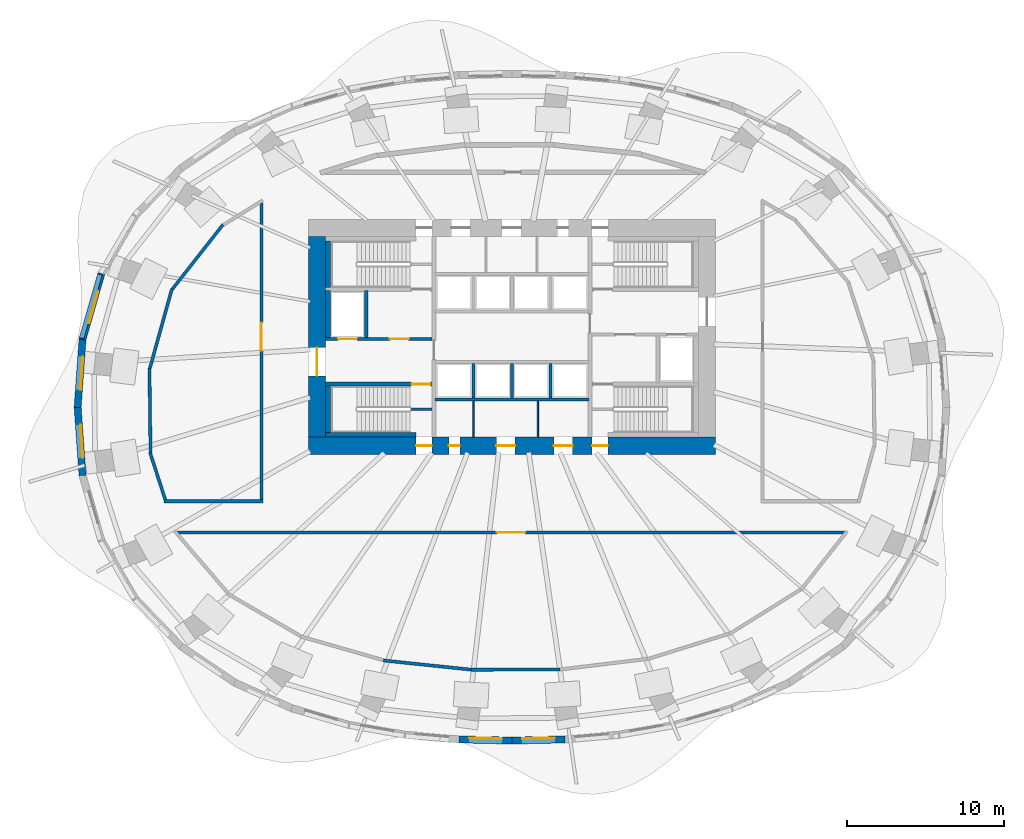
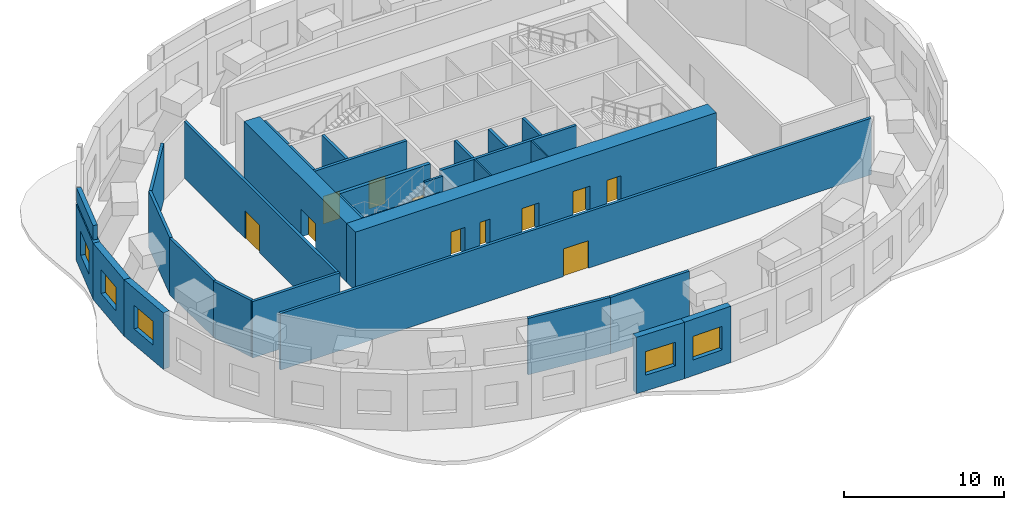
# One storey, part 4 of 9: 31 walls, 11 doors, 5 windows, 16 openings.
"""IFC4 building model written with IfcOpenShell, lengths in metres."""

from ifc_helpers import new_model, si_unit, direction, frame, frame_2d, origin, place, context, subcontext, project, spatial, rectangle, extrude, material, layer, layer_set, type_object, element, fill, save


model = new_model("IFC4")

# Units and contexts
model_context = context("Model", 3, precision=1e-05, world=origin(), true_north=direction((0.0, 1.0)))
body_context = subcontext(model_context, "Body", "Model", "MODEL_VIEW")
ifc_project = project(units=[si_unit("LENGTHUNIT", "METRE"), si_unit("AREAUNIT", "SQUARE_METRE"), si_unit("VOLUMEUNIT", "CUBIC_METRE"), si_unit("PLANEANGLEUNIT", "RADIAN"), si_unit("MASSUNIT", "GRAM", prefix="KILO")], contexts=[model_context])

# Site, building, storey
site_placement = place(None, origin())
site = spatial("IfcSite", under=ifc_project, at=site_placement, CompositionType="ELEMENT")
building_placement = place(site_placement, origin())
building = spatial("IfcBuilding", under=site, at=building_placement, Name="Rubra Terraces Tower", CompositionType="ELEMENT")
storey_placement = place(building_placement, frame((0.0, 0.0, 77.10009765625)))
storey = spatial("IfcBuildingStorey", under=building, at=storey_placement, Name="L17", CompositionType="ELEMENT", Elevation=77.10009765625)

# Wall, opening, window
ifc_material_1 = material(Name="Brick masonry red-brown", Category="masonry")
ifc_layer_1 = layer(ifc_material_1, 0.449951171875)
ifc_layer_set_1 = layer_set([ifc_layer_1], Name="Brick masonry red-brown")
wall_type_1 = type_object("IfcWallType", Name="Brick facade wall 450", PredefinedType="SOLIDWALL", material=ifc_layer_set_1)
wall_1_placement = place(storey_placement, frame((-26.208740234375, 8.523681640625, 0.0), z_axis=(0.0, 0.0, 1.0), x_axis=(-0.276281679347, -0.961076705397, 0.0)))
wall_1 = element("IfcWall", 1, at=wall_1_placement, inside=storey, type_object=wall_type_1, Name="Facade wall L17 bay 19", PredefinedType="SOLIDWALL", context=body_context, shape_type="SweptSolid", body=[
    extrude(rectangle(XDim=4.37939453125, YDim=0.449951171875, at=frame_2d((2.189697265625, 0.0))), origin(), (0.0, 0.0, 1.0), 4.2998046875),
])
opening_1_placement = place(wall_1_placement, frame((1.1396484375, 0.0, 1.199951171875)))
opening_1 = element("IfcOpeningElement", 2, at=opening_1_placement, cuts=wall_1, Name="Opening W4", PredefinedType="OPENING", context=body_context, shape_type="SweptSolid", body=[
    extrude(rectangle(XDim=2.10009765625, YDim=1.800048828125, at=frame_2d((1.050048828125, 0.89990234375))), frame((0.0, 0.23486328125, 0.0), z_axis=(0.0, -1.0, 0.0), x_axis=(1.0, 0.0, 0.0)), (0.0, 0.0, 1.0), 0.469970703125),
])
ifc_material_2 = material(Name="Clear glass in aluminium frame", Category="aluminium")
window_type = type_object("IfcWindowType", Name="Louvred plant window 2100 x 1800", PartitioningType="SINGLE_PANEL", PredefinedType="WINDOW", material=ifc_material_2)
window_1_placement = place(opening_1_placement, origin())
window_1 = element("IfcWindow", 3, at=window_1_placement, inside=storey, type_object=window_type, Name="Window L17 bay 19", OverallHeight=1.800048828125, OverallWidth=2.10009765625, PartitioningType="SINGLE_PANEL", PredefinedType="WINDOW", context=body_context, shape_type="SweptSolid", body=[
    extrude(rectangle(XDim=2.10009765625, YDim=1.800048828125, at=frame_2d((1.050048828125, 0.89990234375))), frame((0.0, 0.135009765625, 0.0), z_axis=(0.0, -1.0, 0.0), x_axis=(1.0, 0.0, 0.0)), (0.0, 0.0, 1.0), 0.06005859375),
])
fill(opening_1, window_1)

wall_2_placement = place(storey_placement, frame((-27.41064453125, 4.36083984375, 0.0), z_axis=(0.0, 0.0, 1.0), x_axis=(-0.071768934506, -0.997421285135, 0.0)))
wall_2 = element("IfcWall", 4, at=wall_2_placement, inside=storey, type_object=wall_type_1, Name="Facade wall L17 bay 20", PredefinedType="SOLIDWALL", context=body_context, shape_type="SweptSolid", body=[
    extrude(rectangle(XDim=4.38818359375, YDim=0.449951171875, at=frame_2d((2.194091796875, 0.0))), origin(), (0.0, 0.0, 1.0), 4.2998046875),
])
opening_2_placement = place(wall_2_placement, frame((1.144287109375, 0.0, 1.199951171875)))
opening_2 = element("IfcOpeningElement", 5, at=opening_2_placement, cuts=wall_2, Name="Opening W4", PredefinedType="OPENING", context=body_context, shape_type="SweptSolid", body=[
    extrude(rectangle(XDim=2.10009765625, YDim=1.800048828125, at=frame_2d((1.050048828125, 0.89990234375))), frame((0.0, 0.23486328125, 0.0), z_axis=(0.0, -1.0, 0.0), x_axis=(1.0, 0.0, 0.0)), (0.0, 0.0, 1.0), 0.469970703125),
])
window_2_placement = place(opening_2_placement, origin())
window_2 = element("IfcWindow", 6, at=window_2_placement, inside=storey, type_object=window_type, Name="Window L17 bay 20", OverallHeight=1.800048828125, OverallWidth=2.10009765625, PartitioningType="SINGLE_PANEL", PredefinedType="WINDOW", context=body_context, shape_type="SweptSolid", body=[
    extrude(rectangle(XDim=2.10009765625, YDim=1.800048828125, at=frame_2d((1.050048828125, 0.89990234375))), frame((0.0, 0.135009765625, 0.0), z_axis=(0.0, -1.0, 0.0), x_axis=(1.0, 0.0, 0.0)), (0.0, 0.0, 1.0), 0.06005859375),
])
fill(opening_2, window_2)

wall_3_placement = place(storey_placement, frame((-27.7255859375, 0.01611328125, 0.0), z_axis=(0.0, 0.0, 1.0), x_axis=(0.071768934506, -0.997421285135, 0.0)))
wall_3 = element("IfcWall", 7, at=wall_3_placement, inside=storey, type_object=wall_type_1, Name="Facade wall L17 bay 21", PredefinedType="SOLIDWALL", context=body_context, shape_type="SweptSolid", body=[
    extrude(rectangle(XDim=4.38818359375, YDim=0.449951171875, at=frame_2d((2.194091796875, 0.0))), origin(), (0.0, 0.0, 1.0), 4.2998046875),
])
opening_3_placement = place(wall_3_placement, frame((1.144287109375, 0.0, 1.199951171875)))
opening_3 = element("IfcOpeningElement", 8, at=opening_3_placement, cuts=wall_3, Name="Opening W4", PredefinedType="OPENING", context=body_context, shape_type="SweptSolid", body=[
    extrude(rectangle(XDim=2.10009765625, YDim=1.800048828125, at=frame_2d((1.050048828125, 0.89990234375))), frame((0.0, 0.23486328125, 0.0), z_axis=(0.0, -1.0, 0.0), x_axis=(1.0, 0.0, 0.0)), (0.0, 0.0, 1.0), 0.469970703125),
])
window_3_placement = place(opening_3_placement, origin())
window_3 = element("IfcWindow", 9, at=window_3_placement, inside=storey, type_object=window_type, Name="Window L17 bay 21", OverallHeight=1.800048828125, OverallWidth=2.10009765625, PartitioningType="SINGLE_PANEL", PredefinedType="WINDOW", context=body_context, shape_type="SweptSolid", body=[
    extrude(rectangle(XDim=2.10009765625, YDim=1.800048828125, at=frame_2d((1.050048828125, 0.89990234375))), frame((0.0, 0.135009765625, 0.0), z_axis=(0.0, -1.0, 0.0), x_axis=(1.0, 0.0, 0.0)), (0.0, 0.0, 1.0), 0.06005859375),
])
fill(opening_3, window_3)

wall_4_placement = place(storey_placement, frame((-3.38916015625, -21.201904296875, 0.0), z_axis=(0.0, 0.0, 1.0), x_axis=(0.999768789703, -0.021502723933, 0.0)))
wall_4 = element("IfcWall", 10, at=wall_4_placement, inside=storey, type_object=wall_type_1, Name="Facade wall L17 bay 30", PredefinedType="SOLIDWALL", context=body_context, shape_type="SweptSolid", body=[
    extrude(rectangle(XDim=3.394775390625, YDim=0.449951171875, at=frame_2d((1.697265625, 0.0))), origin(), (0.0, 0.0, 1.0), 4.2998046875),
])
opening_4_placement = place(wall_4_placement, frame((0.6474609375, 0.0, 1.199951171875)))
opening_4 = element("IfcOpeningElement", 11, at=opening_4_placement, cuts=wall_4, Name="Opening W4", PredefinedType="OPENING", context=body_context, shape_type="SweptSolid", body=[
    extrude(rectangle(XDim=2.10009765625, YDim=1.800048828125, at=frame_2d((1.050048828125, 0.89990234375))), frame((0.0, 0.23486328125, 0.0), z_axis=(0.0, -1.0, 0.0), x_axis=(1.0, 0.0, 0.0)), (0.0, 0.0, 1.0), 0.469970703125),
])
window_4_placement = place(opening_4_placement, origin())
window_4 = element("IfcWindow", 12, at=window_4_placement, inside=storey, type_object=window_type, Name="Window L17 bay 30", OverallHeight=1.800048828125, OverallWidth=2.10009765625, PartitioningType="SINGLE_PANEL", PredefinedType="WINDOW", context=body_context, shape_type="SweptSolid", body=[
    extrude(rectangle(XDim=2.10009765625, YDim=1.800048828125, at=frame_2d((1.050048828125, 0.89990234375))), frame((0.0, 0.135009765625, 0.0), z_axis=(0.0, -1.0, 0.0), x_axis=(1.0, 0.0, 0.0)), (0.0, 0.0, 1.0), 0.06005859375),
])
fill(opening_4, window_4)

wall_5_placement = place(storey_placement, frame((-0.0048828125, -21.27490234375, 0.0), z_axis=(0.0, 0.0, 1.0), x_axis=(0.999768789703, 0.021502723933, 0.0)))
wall_5 = element("IfcWall", 13, at=wall_5_placement, inside=storey, type_object=wall_type_1, Name="Facade wall L17 bay 31", PredefinedType="SOLIDWALL", context=body_context, shape_type="SweptSolid", body=[
    extrude(rectangle(XDim=3.394775390625, YDim=0.449951171875, at=frame_2d((1.697265625, 0.0))), origin(), (0.0, 0.0, 1.0), 4.2998046875),
])
opening_5_placement = place(wall_5_placement, frame((0.6474609375, 0.0, 1.199951171875)))
opening_5 = element("IfcOpeningElement", 14, at=opening_5_placement, cuts=wall_5, Name="Opening W4", PredefinedType="OPENING", context=body_context, shape_type="SweptSolid", body=[
    extrude(rectangle(XDim=2.10009765625, YDim=1.800048828125, at=frame_2d((1.050048828125, 0.89990234375))), frame((0.0, 0.23486328125, 0.0), z_axis=(0.0, -1.0, 0.0), x_axis=(1.0, 0.0, 0.0)), (0.0, 0.0, 1.0), 0.469970703125),
])
window_5_placement = place(opening_5_placement, origin())
window_5 = element("IfcWindow", 15, at=window_5_placement, inside=storey, type_object=window_type, Name="Window L17 bay 31", OverallHeight=1.800048828125, OverallWidth=2.10009765625, PartitioningType="SINGLE_PANEL", PredefinedType="WINDOW", context=body_context, shape_type="SweptSolid", body=[
    extrude(rectangle(XDim=2.10009765625, YDim=1.800048828125, at=frame_2d((1.050048828125, 0.89990234375))), frame((0.0, 0.135009765625, 0.0), z_axis=(0.0, -1.0, 0.0), x_axis=(1.0, 0.0, 0.0)), (0.0, 0.0, 1.0), 0.06005859375),
])
fill(opening_5, window_5)

# Wall
ifc_layer_2 = layer(ifc_material_1, 0.300048828125)
ifc_layer_set_2 = layer_set([ifc_layer_2], Name="Brick masonry red-brown")
wall_type_2 = type_object("IfcWallType", Name="Brick parapet 300", PredefinedType="PARAPET", material=ifc_layer_set_2)
wall_6_placement = place(storey_placement, frame((-26.29931640625, 8.47998046875, 4.5), z_axis=(0.0, 0.0, 1.0), x_axis=(-0.276312084061, -0.961067964403, 0.0)))
element("IfcWall", 16, at=wall_6_placement, inside=storey, type_object=wall_type_2, Name="Parapet L17 bay 19", PredefinedType="PARAPET", context=body_context, shape_type="SweptSolid", body=[
    extrude(rectangle(XDim=4.23486328125, YDim=0.300048828125, at=frame_2d((2.117431640625, 0.0))), origin(), (0.0, 0.0, 1.0), 1.099853515625),
])

# Wall, openings, doors
ifc_material_3 = material(Name="Concrete C60", Category="concrete")
ifc_layer_3 = layer(ifc_material_3, 1.10009765625)
ifc_layer_set_3 = layer_set([ifc_layer_3], Name="Concrete C60")
wall_type_3 = type_object("IfcWallType", Name="CORE WALL 1100 C60", PredefinedType="SHEAR", material=ifc_layer_set_3)
wall_7_placement = place(storey_placement, frame((-13.0, -2.449951171875, 0.0), z_axis=(0.0, 0.0, 1.0), x_axis=(1.0, 0.0, 0.0)))
wall_7 = element("IfcWall", 17, at=wall_7_placement, inside=storey, type_object=wall_type_3, Name="CORE WALL S L17", PredefinedType="SHEAR", context=body_context, shape_type="SweptSolid", body=[
    extrude(rectangle(XDim=26.0, YDim=1.10009765625, at=frame_2d((13.0, 0.0))), origin(), (0.0, 0.0, 1.0), 4.5),
])
opening_6_placement = place(wall_7_placement, frame((8.97509765625, 0.0, 0.0)))
opening_6 = element("IfcOpeningElement", 18, at=opening_6_placement, cuts=wall_7, Name="Opening L17.C13", PredefinedType="OPENING", context=body_context, shape_type="SweptSolid", body=[
    extrude(rectangle(XDim=0.699951171875, YDim=2.10009765625, at=frame_2d((0.35009765625, 1.050048828125))), frame((0.0, 0.56005859375, 0.0), z_axis=(0.0, -1.0, 0.0), x_axis=(1.0, 0.0, 0.0)), (0.0, 0.0, 1.0), 1.1201171875),
])
opening_7_placement = place(wall_7_placement, frame((12.0, 0.0, 0.0)))
opening_7 = element("IfcOpeningElement", 19, at=opening_7_placement, cuts=wall_7, Name="Opening L17.C14", PredefinedType="OPENING", context=body_context, shape_type="SweptSolid", body=[
    extrude(rectangle(XDim=1.199951171875, YDim=2.10009765625, at=frame_2d((0.60009765625, 1.050048828125))), frame((0.0, 0.56005859375, 0.0), z_axis=(0.0, -1.0, 0.0), x_axis=(1.0, 0.0, 0.0)), (0.0, 0.0, 1.0), 1.1201171875),
])
opening_8_placement = place(wall_7_placement, frame((15.675048828125, 0.0, 0.0)))
opening_8 = element("IfcOpeningElement", 20, at=opening_8_placement, cuts=wall_7, Name="Opening L17.C15", PredefinedType="OPENING", context=body_context, shape_type="SweptSolid", body=[
    extrude(rectangle(XDim=1.199951171875, YDim=2.10009765625, at=frame_2d((0.60009765625, 1.050048828125))), frame((0.0, 0.56005859375, 0.0), z_axis=(0.0, -1.0, 0.0), x_axis=(1.0, 0.0, 0.0)), (0.0, 0.0, 1.0), 1.1201171875),
])
opening_9_placement = place(wall_7_placement, frame((6.8798828125, 0.0, 0.0)))
opening_9 = element("IfcOpeningElement", 21, at=opening_9_placement, cuts=wall_7, Name="Opening L17.C19", PredefinedType="OPENING", context=body_context, shape_type="SweptSolid", body=[
    extrude(rectangle(XDim=1.0, YDim=2.10009765625, at=frame_2d((0.5, 1.050048828125))), frame((0.0, 0.56005859375, 0.0), z_axis=(0.0, -1.0, 0.0), x_axis=(1.0, 0.0, 0.0)), (0.0, 0.0, 1.0), 1.1201171875),
])
opening_10_placement = place(wall_7_placement, frame((18.1201171875, 0.0, 0.0)))
opening_10 = element("IfcOpeningElement", 22, at=opening_10_placement, cuts=wall_7, Name="Opening L17.C22", PredefinedType="OPENING", context=body_context, shape_type="SweptSolid", body=[
    extrude(rectangle(XDim=1.0, YDim=2.10009765625, at=frame_2d((0.5, 1.050048828125))), frame((0.0, 0.56005859375, 0.0), z_axis=(0.0, -1.0, 0.0), x_axis=(1.0, 0.0, 0.0)), (0.0, 0.0, 1.0), 1.1201171875),
])
ifc_material_4 = material(Name="Painted steel", Category="steel")
door_type_1 = type_object("IfcDoorType", Name="Fire door 1000x2100 single", OperationType="NOTDEFINED", PredefinedType="DOOR", material=ifc_material_4)
door_1_placement = place(opening_9_placement, origin())
door_1 = element("IfcDoor", 23, at=door_1_placement, inside=storey, type_object=door_type_1, Name="Stair S1 refuge door", OperationType="SINGLE_SWING_LEFT", OverallHeight=2.10009765625, OverallWidth=1.0, PredefinedType="DOOR", context=body_context, shape_type="SweptSolid", body=[
    extrude(rectangle(XDim=1.0, YDim=2.10009765625, at=frame_2d((0.5, 1.050048828125))), frame((0.0, 0.02490234375, 0.0), z_axis=(0.0, -1.0, 0.0), x_axis=(1.0, 0.0, 0.0)), (0.0, 0.0, 1.0), 0.050048828125),
])
fill(opening_9, door_1)
door_2_placement = place(opening_10_placement, origin())
door_2 = element("IfcDoor", 24, at=door_2_placement, inside=storey, type_object=door_type_1, Name="Stair S4 refuge door", OperationType="SINGLE_SWING_RIGHT", OverallHeight=2.10009765625, OverallWidth=1.0, PredefinedType="DOOR", context=body_context, shape_type="SweptSolid", body=[
    extrude(rectangle(XDim=1.0, YDim=2.10009765625, at=frame_2d((0.5, 1.050048828125))), frame((0.0, 0.02490234375, 0.0), z_axis=(0.0, -1.0, 0.0), x_axis=(1.0, 0.0, 0.0)), (0.0, 0.0, 1.0), 0.050048828125),
])
fill(opening_10, door_2)
door_type_2 = type_object("IfcDoorType", Name="Fire door 1200x2100 single", OperationType="NOTDEFINED", PredefinedType="DOOR", material=ifc_material_4)
door_3_placement = place(opening_7_placement, origin())
door_3 = element("IfcDoor", 25, at=door_3_placement, inside=storey, type_object=door_type_2, Name="Air handling plant room door", OperationType="SINGLE_SWING_RIGHT", OverallHeight=2.10009765625, OverallWidth=1.199951171875, PredefinedType="DOOR", context=body_context, shape_type="SweptSolid", body=[
    extrude(rectangle(XDim=1.199951171875, YDim=2.10009765625, at=frame_2d((0.60009765625, 1.050048828125))), frame((0.0, 0.02490234375, 0.0), z_axis=(0.0, -1.0, 0.0), x_axis=(1.0, 0.0, 0.0)), (0.0, 0.0, 1.0), 0.050048828125),
])
fill(opening_7, door_3)
door_4_placement = place(opening_8_placement, origin())
door_4 = element("IfcDoor", 26, at=door_4_placement, inside=storey, type_object=door_type_2, Name="Standby generator room door", OperationType="SINGLE_SWING_LEFT", OverallHeight=2.10009765625, OverallWidth=1.199951171875, PredefinedType="DOOR", context=body_context, shape_type="SweptSolid", body=[
    extrude(rectangle(XDim=1.199951171875, YDim=2.10009765625, at=frame_2d((0.60009765625, 1.050048828125))), frame((0.0, 0.02490234375, 0.0), z_axis=(0.0, -1.0, 0.0), x_axis=(1.0, 0.0, 0.0)), (0.0, 0.0, 1.0), 0.050048828125),
])
fill(opening_8, door_4)
door_type_3 = type_object("IfcDoorType", Name="Riser access door 700x2100 single", OperationType="NOTDEFINED", PredefinedType="DOOR", material=ifc_material_4)
door_5_placement = place(opening_6_placement, origin())
door_5 = element("IfcDoor", 27, at=door_5_placement, inside=storey, type_object=door_type_3, Name="M&E riser room door", OperationType="SINGLE_SWING_LEFT", OverallHeight=2.10009765625, OverallWidth=0.699951171875, PredefinedType="DOOR", context=body_context, shape_type="SweptSolid", body=[
    extrude(rectangle(XDim=0.699951171875, YDim=2.10009765625, at=frame_2d((0.35009765625, 1.050048828125))), frame((0.0, 0.02490234375, 0.0), z_axis=(0.0, -1.0, 0.0), x_axis=(1.0, 0.0, 0.0)), (0.0, 0.0, 1.0), 0.050048828125),
])
fill(opening_6, door_5)

# Wall, opening, door
wall_8_placement = place(storey_placement, frame((-12.449951171875, -1.89990234375, 0.0), z_axis=(0.0, 0.0, 1.0), x_axis=(0.0, 1.0, 0.0)))
wall_8 = element("IfcWall", 28, at=wall_8_placement, inside=storey, type_object=wall_type_3, Name="CORE WALL W L17", PredefinedType="SHEAR", context=body_context, shape_type="SweptSolid", body=[
    extrude(rectangle(XDim=12.7998046875, YDim=1.10009765625, at=frame_2d((6.39990234375, 0.0))), origin(), (0.0, 0.0, 1.0), 4.5),
])
opening_11_placement = place(wall_8_placement, frame((3.89990234375, 0.0, 0.0)))
opening_11 = element("IfcOpeningElement", 29, at=opening_11_placement, cuts=wall_8, Name="Opening L17.C01", PredefinedType="OPENING", context=body_context, shape_type="SweptSolid", body=[
    extrude(rectangle(XDim=1.800048828125, YDim=2.10009765625, at=frame_2d((0.89990234375, 1.050048828125))), frame((0.0, 0.56005859375, 0.0), z_axis=(0.0, -1.0, 0.0), x_axis=(1.0, 0.0, 0.0)), (0.0, 0.0, 1.0), 1.1201171875),
])
door_type_4 = type_object("IfcDoorType", Name="Fire door 1800x2100 double", OperationType="NOTDEFINED", PredefinedType="DOOR", material=ifc_material_4)
door_6_placement = place(opening_11_placement, origin())
door_6 = element("IfcDoor", 30, at=door_6_placement, inside=storey, type_object=door_type_4, Name="Core entrance door FF1", OperationType="DOUBLE_DOOR_SINGLE_SWING", OverallHeight=2.10009765625, OverallWidth=1.800048828125, PredefinedType="DOOR", context=body_context, shape_type="SweptSolid", body=[
    extrude(rectangle(XDim=1.800048828125, YDim=2.10009765625, at=frame_2d((0.89990234375, 1.050048828125))), frame((0.0, 0.02490234375, 0.0), z_axis=(0.0, -1.0, 0.0), x_axis=(1.0, 0.0, 0.0)), (0.0, 0.0, 1.0), 0.050048828125),
])
fill(opening_11, door_6)

# Walls
ifc_material_5 = material(Name="Concrete C40", Category="concrete")
ifc_layer_4 = layer(ifc_material_5, 0.300048828125)
ifc_layer_set_4 = layer_set([ifc_layer_4], Name="Concrete C40")
wall_type_4 = type_object("IfcWallType", Name="Core lining wall 300 concrete", PredefinedType="SOLIDWALL", material=ifc_layer_set_4)
wall_9_placement = place(storey_placement, frame((-11.89990234375, -1.75, 0.0), z_axis=(0.0, 0.0, 1.0), x_axis=(1.0, 0.0, 0.0)))
element("IfcWall", 31, at=wall_9_placement, inside=storey, type_object=wall_type_4, Name="CORE LINING WALL L17", PredefinedType="SOLIDWALL", context=body_context, shape_type="SweptSolid", body=[
    extrude(rectangle(XDim=5.77978515625, YDim=0.300048828125, at=frame_2d((2.889892578125, 0.0))), origin(), (0.0, 0.0, 1.0), 4.2998046875),
])
wall_10_placement = place(storey_placement, frame((-11.75, -1.60009765625, 0.0), z_axis=(0.0, 0.0, 1.0), x_axis=(0.0, 1.0, 0.0)))
element("IfcWall", 32, at=wall_10_placement, inside=storey, type_object=wall_type_4, Name="CORE LINING WALL L17", PredefinedType="SOLIDWALL", context=body_context, shape_type="SweptSolid", body=[
    extrude(rectangle(XDim=2.9501953125, YDim=0.300048828125, at=frame_2d((1.47509765625, 0.0))), origin(), (0.0, 0.0, 1.0), 4.2998046875),
])
wall_11_placement = place(storey_placement, frame((-11.75, 4.449951171875, 0.0), z_axis=(0.0, 0.0, 1.0), x_axis=(0.0, 1.0, 0.0)))
element("IfcWall", 33, at=wall_11_placement, inside=storey, type_object=wall_type_4, Name="CORE LINING WALL L17", PredefinedType="SOLIDWALL", context=body_context, shape_type="SweptSolid", body=[
    extrude(rectangle(XDim=3.0, YDim=0.300048828125, at=frame_2d((1.5, 0.0))), origin(), (0.0, 0.0, 1.0), 4.2998046875),
])
wall_12_placement = place(storey_placement, frame((-11.75, 7.64990234375, 0.0), z_axis=(0.0, 0.0, 1.0), x_axis=(0.0, 1.0, 0.0)))
element("IfcWall", 34, at=wall_12_placement, inside=storey, type_object=wall_type_4, Name="CORE LINING WALL L17", PredefinedType="SOLIDWALL", context=body_context, shape_type="SweptSolid", body=[
    extrude(rectangle(XDim=2.9501953125, YDim=0.300048828125, at=frame_2d((1.47509765625, 0.0))), origin(), (0.0, 0.0, 1.0), 4.2998046875),
])

# Wall, openings, doors
ifc_material_6 = material(Name="Concrete C30", Category="concrete")
ifc_layer_5 = layer(ifc_material_6, 0.199951171875)
ifc_layer_set_5 = layer_set([ifc_layer_5], Name="Concrete C30")
wall_type_5 = type_object("IfcWallType", Name="Core wall 200 concrete", PredefinedType="SOLIDWALL", material=ifc_layer_set_5)
wall_13_placement = place(storey_placement, frame((-11.89990234375, 4.35009765625, 0.0), z_axis=(0.0, 0.0, 1.0), x_axis=(1.0, 0.0, 0.0)))
wall_13 = element("IfcWall", 35, at=wall_13_placement, inside=storey, type_object=wall_type_5, Name="STAIR WALL L17", PredefinedType="SOLIDWALL", context=body_context, shape_type="SweptSolid", body=[
    extrude(rectangle(XDim=6.7998046875, YDim=0.199951171875, at=frame_2d((3.39990234375, 0.0))), origin(), (0.0, 0.0, 1.0), 4.2998046875),
])
opening_12_placement = place(wall_13_placement, frame((4.10009765625, 0.0, 0.0)))
opening_12 = element("IfcOpeningElement", 36, at=opening_12_placement, cuts=wall_13, Name="Opening L17.C05", PredefinedType="OPENING", context=body_context, shape_type="SweptSolid", body=[
    extrude(rectangle(XDim=1.199951171875, YDim=2.10009765625, at=frame_2d((0.60009765625, 1.050048828125))), frame((0.0, 0.10986328125, 0.0), z_axis=(0.0, -1.0, 0.0), x_axis=(1.0, 0.0, 0.0)), (0.0, 0.0, 1.0), 0.219970703125),
])
opening_13_placement = place(wall_13_placement, frame((0.800048828125, 0.0, 0.0)))
opening_13 = element("IfcOpeningElement", 37, at=opening_13_placement, cuts=wall_13, Name="Opening L17.C11", PredefinedType="OPENING", context=body_context, shape_type="SweptSolid", body=[
    extrude(rectangle(XDim=1.199951171875, YDim=2.10009765625, at=frame_2d((0.60009765625, 1.050048828125))), frame((0.0, 0.10986328125, 0.0), z_axis=(0.0, -1.0, 0.0), x_axis=(1.0, 0.0, 0.0)), (0.0, 0.0, 1.0), 0.219970703125),
])
door_7_placement = place(opening_12_placement, origin())
door_7 = element("IfcDoor", 38, at=door_7_placement, inside=storey, type_object=door_type_2, Name="Stair vestibule door S2", OperationType="SINGLE_SWING_LEFT", OverallHeight=2.10009765625, OverallWidth=1.199951171875, PredefinedType="DOOR", context=body_context, shape_type="SweptSolid", body=[
    extrude(rectangle(XDim=1.199951171875, YDim=2.10009765625, at=frame_2d((0.60009765625, 1.050048828125))), frame((0.0, 0.02490234375, 0.0), z_axis=(0.0, -1.0, 0.0), x_axis=(1.0, 0.0, 0.0)), (0.0, 0.0, 1.0), 0.050048828125),
])
fill(opening_12, door_7)
ifc_material_7 = material(Name="Stainless steel", Category="steel")
door_type_5 = type_object("IfcDoorType", Name="Lift landing door 1200x2100", OperationType="NOTDEFINED", PredefinedType="DOOR", material=ifc_material_7)
door_8_placement = place(opening_13_placement, origin())
door_8 = element("IfcDoor", 39, at=door_8_placement, inside=storey, type_object=door_type_5, Name="Landing door FF1", OperationType="SLIDING_TO_RIGHT", OverallHeight=2.10009765625, OverallWidth=1.199951171875, PredefinedType="DOOR", context=body_context, shape_type="SweptSolid", body=[
    extrude(rectangle(XDim=1.199951171875, YDim=2.10009765625, at=frame_2d((0.60009765625, 1.050048828125))), frame((0.0, 0.02490234375, 0.0), z_axis=(0.0, -1.0, 0.0), x_axis=(1.0, 0.0, 0.0)), (0.0, 0.0, 1.0), 0.050048828125),
])
fill(opening_13, door_8)

# Walls
wall_14_placement = place(storey_placement, frame((-9.300048828125, 4.449951171875, 0.0), z_axis=(0.0, 0.0, 1.0), x_axis=(0.0, 1.0, 0.0)))
element("IfcWall", 40, at=wall_14_placement, inside=storey, type_object=wall_type_5, Name="STAIR WALL L17", PredefinedType="SOLIDWALL", context=body_context, shape_type="SweptSolid", body=[
    extrude(rectangle(XDim=3.0, YDim=0.199951171875, at=frame_2d((1.5, 0.0))), origin(), (0.0, 0.0, 1.0), 4.2998046875),
])
wall_15_placement = place(storey_placement, frame((-4.89990234375, 0.5, 0.0), z_axis=(0.0, 0.0, 1.0), x_axis=(1.0, 0.0, 0.0)))
element("IfcWall", 41, at=wall_15_placement, inside=storey, type_object=wall_type_5, Name="LIFT SHAFT WALL L17", PredefinedType="SOLIDWALL", context=body_context, shape_type="SweptSolid", body=[
    extrude(rectangle(XDim=9.7998046875, YDim=0.199951171875, at=frame_2d((4.89990234375, 0.0))), origin(), (0.0, 0.0, 1.0), 4.2998046875),
])
for number, where, z_axis, x_axis, name in (
    (42, (-2.449951171875, 0.60009765625, 0.0), (0.0, 0.0, 1.0), (0.0, 1.0, 0.0), "LIFT SHAFT WALL L17"),
    (43, (0.0, 0.60009765625, 0.0), (0.0, 0.0, 1.0), (0.0, 1.0, 0.0), "LIFT SHAFT WALL L17"),
    (44, (2.449951171875, 0.60009765625, 0.0), (0.0, 0.0, 1.0), (0.0, 1.0, 0.0), "LIFT SHAFT WALL L17"),
):
    element("IfcWall", number, at=place(storey_placement, frame(where, z_axis=z_axis, x_axis=x_axis)), inside=storey, type_object=wall_type_5, Name=name, PredefinedType="SOLIDWALL", context=body_context, shape_type="SweptSolid", body=[
        extrude(rectangle(XDim=2.199951171875, YDim=0.199951171875, at=frame_2d((1.10009765625, 0.0))), origin(), (0.0, 0.0, 1.0), 4.2998046875),
    ])
ifc_material_8 = material(Name="Blockwork", Category="masonry")
ifc_layer_6 = layer(ifc_material_8, 0.199951171875)
ifc_layer_set_6 = layer_set([ifc_layer_6], Name="Blockwork")
wall_type_6 = type_object("IfcWallType", Name="Corridor partition 200 blockwork", PredefinedType="PARTITIONING", material=ifc_layer_set_6)
wall_16_placement = place(storey_placement, frame((3.052978515625, -16.72998046875, 0.0), z_axis=(0.0, 0.0, 1.0), x_axis=(-0.999987762334, -0.004947239951, 0.0)))
element("IfcWall", 45, at=wall_16_placement, inside=storey, type_object=wall_type_6, Name="Partition wall", PredefinedType="PARTITIONING", context=body_context, shape_type="SweptSolid", body=[
    extrude(rectangle(XDim=5.675048828125, YDim=0.199951171875, at=frame_2d((2.83740234375, 0.0))), origin(), (0.0, 0.0, 1.0), 4.2998046875),
])
wall_17_placement = place(storey_placement, frame((-2.62109375, -16.748046875, 0.0), z_axis=(0.0, 0.0, 1.0), x_axis=(-0.99455907377, 0.104174127222, 0.0)))
element("IfcWall", 46, at=wall_17_placement, inside=storey, type_object=wall_type_6, Name="Partition wall", PredefinedType="PARTITIONING", context=body_context, shape_type="SweptSolid", body=[
    extrude(rectangle(XDim=5.62451171875, YDim=0.199951171875, at=frame_2d((2.812255859375, 0.0))), origin(), (0.0, 0.0, 1.0), 4.2998046875),
])

# Wall, opening, door
wall_18_placement = place(storey_placement, frame((-21.345947265625, -8.0, 0.0), z_axis=(0.0, 0.0, 1.0), x_axis=(1.0, 0.0, 0.0)))
wall_18 = element("IfcWall", 47, at=wall_18_placement, inside=storey, type_object=wall_type_6, Name="Partition wall", PredefinedType="PARTITIONING", context=body_context, shape_type="SweptSolid", body=[
    extrude(rectangle(XDim=42.56201171875, YDim=0.199951171875, at=frame_2d((21.281005859375, 0.0))), origin(), (0.0, 0.0, 1.0), 4.2998046875),
])
opening_14_placement = place(wall_18_placement, frame((20.381103515625, 0.0, 0.0)))
opening_14 = element("IfcOpeningElement", 48, at=opening_14_placement, cuts=wall_18, Name="Opening DB3", PredefinedType="OPENING", context=body_context, shape_type="SweptSolid", body=[
    extrude(rectangle(XDim=1.800048828125, YDim=2.10009765625, at=frame_2d((0.89990234375, 1.050048828125))), frame((0.0, 0.10986328125, 0.0), z_axis=(0.0, -1.0, 0.0), x_axis=(1.0, 0.0, 0.0)), (0.0, 0.0, 1.0), 0.219970703125),
])
door_type_6 = type_object("IfcDoorType", Name="Door 1800x2100 double", OperationType="NOTDEFINED", PredefinedType="DOOR", material=ifc_material_4)
door_9_placement = place(opening_14_placement, origin())
door_9 = element("IfcDoor", 49, at=door_9_placement, inside=storey, type_object=door_type_6, Name="Refuge area door L17-01", OperationType="DOUBLE_DOOR_SINGLE_SWING", OverallHeight=2.10009765625, OverallWidth=1.800048828125, PredefinedType="DOOR", context=body_context, shape_type="SweptSolid", body=[
    extrude(rectangle(XDim=1.800048828125, YDim=2.10009765625, at=frame_2d((0.89990234375, 1.050048828125))), frame((0.0, 0.02490234375, 0.0), z_axis=(0.0, -1.0, 0.0), x_axis=(1.0, 0.0, 0.0)), (0.0, 0.0, 1.0), 0.050048828125),
])
fill(opening_14, door_9)

# Walls
wall_19_placement = place(storey_placement, frame((-15.89990234375, -6.0, 0.0), z_axis=(0.0, 0.0, 1.0), x_axis=(-1.0, 0.0, 0.0)))
element("IfcWall", 50, at=wall_19_placement, inside=storey, type_object=wall_type_6, Name="Partition wall", PredefinedType="PARTITIONING", context=body_context, shape_type="SweptSolid", body=[
    extrude(rectangle(XDim=6.298095703125, YDim=0.199951171875, at=frame_2d((3.14892578125, 0.0))), origin(), (0.0, 0.0, 1.0), 4.2998046875),
])
wall_20_placement = place(storey_placement, frame((-22.12890625, -5.905029296875, 0.0), z_axis=(0.0, 0.0, 1.0), x_axis=(-0.307543224341, 0.951534111402, 0.0)))
element("IfcWall", 51, at=wall_20_placement, inside=storey, type_object=wall_type_6, Name="Partition wall", PredefinedType="PARTITIONING", context=body_context, shape_type="SweptSolid", body=[
    extrude(rectangle(XDim=3.16748046875, YDim=0.199951171875, at=frame_2d((1.583740234375, 0.0))), origin(), (0.0, 0.0, 1.0), 4.2998046875),
])
wall_21_placement = place(storey_placement, frame((-23.072998046875, -2.885986328125, 0.0), z_axis=(0.0, 0.0, 1.0), x_axis=(-0.012666982201, 0.999919770563, 0.0)))
element("IfcWall", 52, at=wall_21_placement, inside=storey, type_object=wall_type_6, Name="Partition wall", PredefinedType="PARTITIONING", context=body_context, shape_type="SweptSolid", body=[
    extrude(rectangle(XDim=5.37744140625, YDim=0.199951171875, at=frame_2d((2.688720703125, 0.0))), origin(), (0.0, 0.0, 1.0), 4.2998046875),
])
wall_22_placement = place(storey_placement, frame((-23.113037109375, 2.487060546875, 0.0), z_axis=(0.0, 0.0, 1.0), x_axis=(0.267500643582, 0.963557681555, 0.0)))
element("IfcWall", 53, at=wall_22_placement, inside=storey, type_object=wall_type_6, Name="Partition wall", PredefinedType="PARTITIONING", context=body_context, shape_type="SweptSolid", body=[
    extrude(rectangle(XDim=5.275146484375, YDim=0.199951171875, at=frame_2d((2.6376953125, 0.0))), origin(), (0.0, 0.0, 1.0), 4.2998046875),
])
wall_23_placement = place(storey_placement, frame((-21.6669921875, 7.552978515625, 0.0), z_axis=(0.0, 0.0, 1.0), x_axis=(0.617143909163, 0.786850300491, 0.0)))
element("IfcWall", 54, at=wall_23_placement, inside=storey, type_object=wall_type_6, Name="Partition wall", PredefinedType="PARTITIONING", context=body_context, shape_type="SweptSolid", body=[
    extrude(rectangle(XDim=5.220703125, YDim=0.199951171875, at=frame_2d((2.6103515625, 0.0))), origin(), (0.0, 0.0, 1.0), 4.2998046875),
])

# Wall, opening, door
wall_24_placement = place(storey_placement, frame((-16.0, 13.047119140625, 0.0), z_axis=(0.0, 0.0, 1.0), x_axis=(0.0, -1.0, 0.0)))
wall_24 = element("IfcWall", 55, at=wall_24_placement, inside=storey, type_object=wall_type_6, Name="Partition wall", PredefinedType="PARTITIONING", context=body_context, shape_type="SweptSolid", body=[
    extrude(rectangle(XDim=18.947021484375, YDim=0.199951171875, at=frame_2d((9.4736328125, 0.0))), origin(), (0.0, 0.0, 1.0), 4.2998046875),
])
opening_15_placement = place(wall_24_placement, frame((7.64697265625, 0.0, 0.0)))
opening_15 = element("IfcOpeningElement", 56, at=opening_15_placement, cuts=wall_24, Name="Opening DB3", PredefinedType="OPENING", context=body_context, shape_type="SweptSolid", body=[
    extrude(rectangle(XDim=1.800048828125, YDim=2.10009765625, at=frame_2d((0.89990234375, 1.050048828125))), frame((0.0, 0.10986328125, 0.0), z_axis=(0.0, -1.0, 0.0), x_axis=(1.0, 0.0, 0.0)), (0.0, 0.0, 1.0), 0.219970703125),
])
door_10_placement = place(opening_15_placement, origin())
door_10 = element("IfcDoor", 57, at=door_10_placement, inside=storey, type_object=door_type_6, Name="Refuge area door L17-02", OperationType="DOUBLE_DOOR_SINGLE_SWING", OverallHeight=2.10009765625, OverallWidth=1.800048828125, PredefinedType="DOOR", context=body_context, shape_type="SweptSolid", body=[
    extrude(rectangle(XDim=1.800048828125, YDim=2.10009765625, at=frame_2d((0.89990234375, 1.050048828125))), frame((0.0, 0.02490234375, 0.0), z_axis=(0.0, -1.0, 0.0), x_axis=(1.0, 0.0, 0.0)), (0.0, 0.0, 1.0), 0.050048828125),
])
fill(opening_15, door_10)

# Walls
ifc_layer_7 = layer(ifc_material_8, 0.10009765625)
ifc_layer_set_7 = layer_set([ifc_layer_7], Name="Blockwork")
wall_type_7 = type_object("IfcWallType", Name="Service partition 100 blockwork", PredefinedType="PARTITIONING", material=ifc_layer_set_7)
for number, where, z_axis, x_axis, name in (
    (58, (-2.449951171875, -1.89990234375, 0.0), (0.0, 0.0, 1.0), (0.0, 1.0, 0.0), "SERVICE ROOM PARTITION L17"),
    (59, (1.64990234375, -1.89990234375, 0.0), (0.0, 0.0, 1.0), (0.0, 1.0, 0.0), "SERVICE ROOM PARTITION L17"),
):
    element("IfcWall", number, at=place(storey_placement, frame(where, z_axis=z_axis, x_axis=x_axis)), inside=storey, type_object=wall_type_7, Name=name, PredefinedType="PARTITIONING", context=body_context, shape_type="SweptSolid", body=[
        extrude(rectangle(XDim=2.2998046875, YDim=0.10009765625, at=frame_2d((1.14990234375, 0.0))), origin(), (0.0, 0.0, 1.0), 4.2998046875),
    ])

# Wall, opening, door
ifc_layer_8 = layer(ifc_material_5, 0.25)
ifc_layer_set_8 = layer_set([ifc_layer_8], Name="Concrete C40")
wall_type_8 = type_object("IfcWallType", Name="Stair enclosure wall 250 concrete", PredefinedType="SOLIDWALL", material=ifc_layer_set_8)
wall_25_placement = place(storey_placement, frame((-11.89990234375, 1.47509765625, 0.0), z_axis=(0.0, 0.0, 1.0), x_axis=(1.0, 0.0, 0.0)))
wall_25 = element("IfcWall", 60, at=wall_25_placement, inside=storey, type_object=wall_type_8, Name="STAIR WALL L17", PredefinedType="SOLIDWALL", context=body_context, shape_type="SweptSolid", body=[
    extrude(rectangle(XDim=6.7998046875, YDim=0.25, at=frame_2d((3.39990234375, 0.0))), origin(), (0.0, 0.0, 1.0), 4.2998046875),
])
opening_16_placement = place(wall_25_placement, frame((5.5, 0.0, 0.0)))
opening_16 = element("IfcOpeningElement", 61, at=opening_16_placement, cuts=wall_25, Name="Opening L17.C07", PredefinedType="OPENING", context=body_context, shape_type="SweptSolid", body=[
    extrude(rectangle(XDim=1.199951171875, YDim=2.10009765625, at=frame_2d((0.60009765625, 1.050048828125))), frame((0.0, 0.135009765625, 0.0), z_axis=(0.0, -1.0, 0.0), x_axis=(1.0, 0.0, 0.0)), (0.0, 0.0, 1.0), 0.27001953125),
])
door_11_placement = place(opening_16_placement, origin())
door_11 = element("IfcDoor", 62, at=door_11_placement, inside=storey, type_object=door_type_2, Name="Stair door S1", OperationType="SINGLE_SWING_LEFT", OverallHeight=2.10009765625, OverallWidth=1.199951171875, PredefinedType="DOOR", context=body_context, shape_type="SweptSolid", body=[
    extrude(rectangle(XDim=1.199951171875, YDim=2.10009765625, at=frame_2d((0.60009765625, 1.050048828125))), frame((0.0, 0.02490234375, 0.0), z_axis=(0.0, -1.0, 0.0), x_axis=(1.0, 0.0, 0.0)), (0.0, 0.0, 1.0), 0.050048828125),
])
fill(opening_16, door_11)

# Wall
ifc_layer_9 = layer(ifc_material_5, 0.14990234375)
ifc_layer_set_9 = layer_set([ifc_layer_9], Name="Concrete C40")
wall_type_9 = type_object("IfcWallType", Name="Stair separation wall 150 concrete", PredefinedType="SOLIDWALL", material=ifc_layer_set_9)
wall_26_placement = place(storey_placement, frame((-6.39990234375, -0.125, 0.0), z_axis=(0.0, 0.0, 1.0), x_axis=(1.0, 0.0, 0.0)))
element("IfcWall", 63, at=wall_26_placement, inside=storey, type_object=wall_type_9, Name="STAIR SEPARATION WALL L17", PredefinedType="SOLIDWALL", context=body_context, shape_type="SweptSolid", body=[
    extrude(rectangle(XDim=1.2998046875, YDim=0.14990234375, at=frame_2d((0.64990234375, 0.0))), origin(), (0.0, 0.0, 1.0), 4.2998046875),
])

save(model, "model.ifc")
